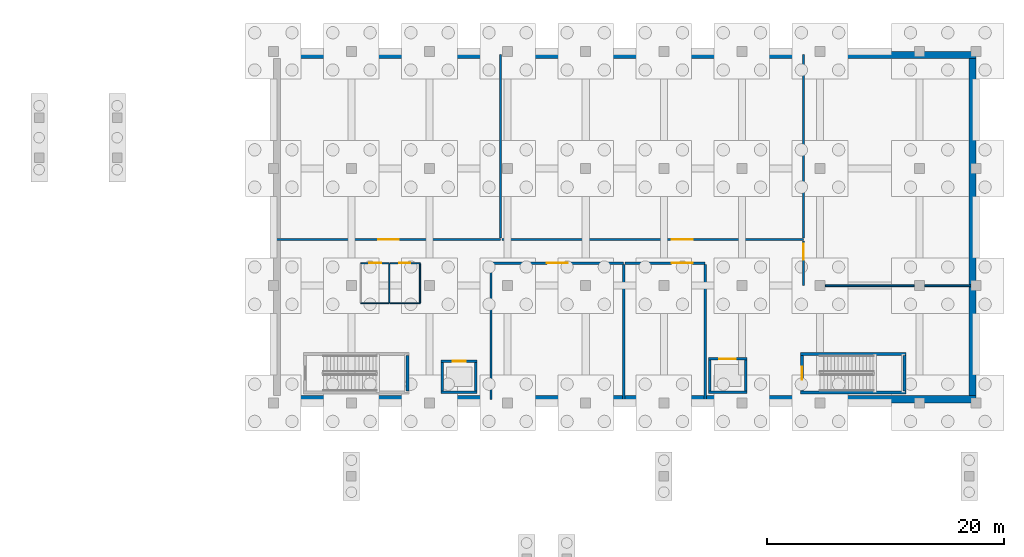
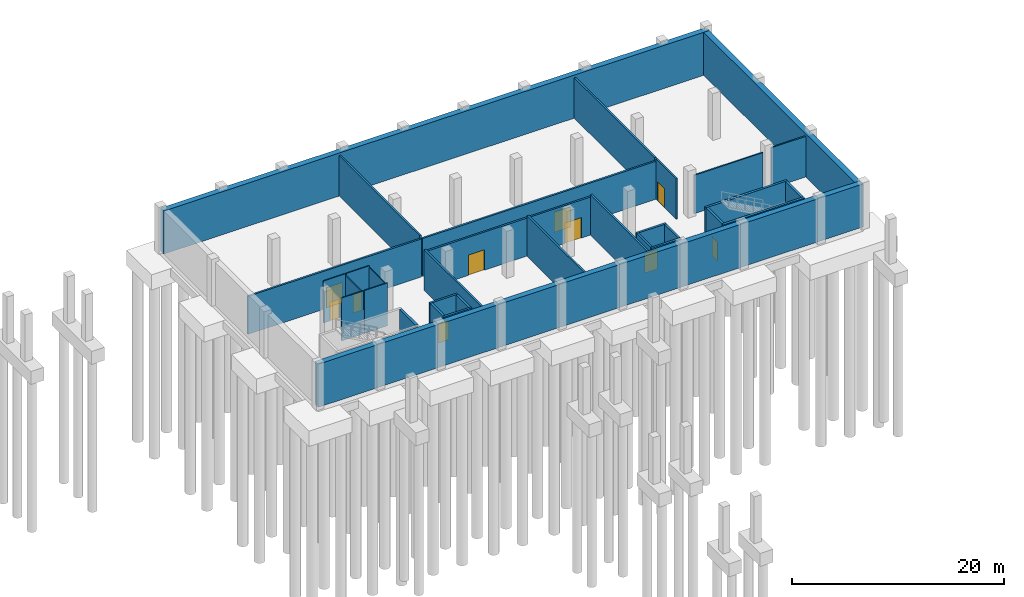
# One storey, part 14 of 23: 34 walls, 10 doors, 10 openings.
"""IFC4 building model written with IfcOpenShell, lengths in metres."""

from ifc_helpers import new_model, si_unit, direction, frame, frame_2d, origin, place, context, subcontext, project, spatial, rectangle, extrude, material, layer, layer_set, type_object, element, fill, save


model = new_model("IFC4")

# Units and contexts
model_context = context("Model", 3, precision=1e-05, world=origin(), true_north=direction((0.0, 1.0)))
body_context = subcontext(model_context, "Body", "Model", "MODEL_VIEW")
ifc_project = project(units=[si_unit("LENGTHUNIT", "METRE"), si_unit("AREAUNIT", "SQUARE_METRE"), si_unit("VOLUMEUNIT", "CUBIC_METRE"), si_unit("PLANEANGLEUNIT", "RADIAN"), si_unit("MASSUNIT", "GRAM", prefix="KILO")], contexts=[model_context])

# Site, building, storey
site_placement = place(None, origin())
site = spatial("IfcSite", under=ifc_project, at=site_placement, CompositionType="ELEMENT")
building_placement = place(site_placement, origin())
building = spatial("IfcBuilding", under=site, at=building_placement, Name="Dornvale Research Institute", CompositionType="ELEMENT")
storey_placement = place(building_placement, frame((0.0, 0.0, -5.39990234375)))
storey = spatial("IfcBuildingStorey", under=building, at=storey_placement, Name="B1", CompositionType="ELEMENT", Elevation=-5.39990234375)

# Wall, opening, door
ifc_material_1 = material(Name="Fire-Rated Gypsum Board on Cold-Formed Steel Studs", Category="steel")
ifc_layer_1 = layer(ifc_material_1, 0.199951171875)
ifc_layer_set_1 = layer_set([ifc_layer_1], Name="Fire-Rated Gypsum Board on Cold-Formed Steel Studs")
wall_type_1 = type_object("IfcWallType", Name="Partition_FireWall_200", PredefinedType="PARTITIONING", material=ifc_layer_set_1)
wall_1_placement = place(storey_placement, frame((119.080078125, 106.199951171875, 0.0), z_axis=(0.0, 0.0, 1.0), x_axis=(1.0, 0.0, 0.0)))
wall_1 = element("IfcWall", 1, at=wall_1_placement, inside=storey, type_object=wall_type_1, Name="B1 V4 interior partition #34", PredefinedType="PARTITIONING", context=body_context, shape_type="SweptSolid", body=[
    extrude(rectangle(XDim=18.919921875, YDim=0.199951171875, at=frame_2d((9.4599609375, 0.0))), origin(), (0.0, 0.0, 1.0), 4.3798828125),
])
opening_1_placement = place(wall_1_placement, frame((8.580078125, 0.0, 0.0)))
opening_1 = element("IfcOpeningElement", 2, at=opening_1_placement, cuts=wall_1, Name="Opening ID-14", PredefinedType="OPENING", context=body_context, shape_type="SweptSolid", body=[
    extrude(rectangle(XDim=1.760009765625, YDim=2.35009765625, at=frame_2d((0.8798828125, 1.175048828125))), frame((0.0, 0.114990234375, 0.0), z_axis=(0.0, -1.0, 0.0), x_axis=(1.0, 0.0, 0.0)), (0.0, 0.0, 1.0), 0.22998046875),
])
ifc_material_2 = material(Name="Insulated Fire-Rated Hollow Metal Door Assembly")
door_type_1 = type_object("IfcDoorType", Name="Door_Plant_1760x2350", OperationType="SINGLE_SWING_LEFT", PredefinedType="DOOR", material=ifc_material_2)
door_1_placement = place(opening_1_placement, origin())
door_1 = element("IfcDoor", 3, at=door_1_placement, inside=storey, type_object=door_type_1, Name="B1 Acid Waste Neutralization and DI Water Plant Room door #16", OperationType="DOUBLE_DOOR_SINGLE_SWING", OverallHeight=2.35009765625, OverallWidth=1.760009765625, PredefinedType="DOOR", context=body_context, shape_type="SweptSolid", body=[
    extrude(rectangle(XDim=1.760009765625, YDim=2.35009765625, at=frame_2d((0.8798828125, 1.175048828125))), frame((0.0, 0.02490234375, 0.0), z_axis=(0.0, -1.0, 0.0), x_axis=(1.0, 0.0, 0.0)), (0.0, 0.0, 1.0), 0.050048828125),
])
fill(opening_1, door_1)

# Wall
wall_2_placement = place(storey_placement, frame((138.0, 106.31494140625, 0.0), z_axis=(0.0, 0.0, 1.0), x_axis=(0.0, 1.0, 0.0)))
element("IfcWall", 4, at=wall_2_placement, inside=storey, type_object=wall_type_1, Name="B1 V4 interior partition #35", PredefinedType="PARTITIONING", context=body_context, shape_type="SweptSolid", body=[
    extrude(rectangle(XDim=15.505126953125, YDim=0.199951171875, at=frame_2d((7.75244140625, 0.0))), origin(), (0.0, 0.0, 1.0), 4.664794921875),
])

# Wall, opening, door
wall_3_placement = place(storey_placement, frame((138.114990234375, 106.199951171875, 0.0), z_axis=(0.0, 0.0, 1.0), x_axis=(1.0, 0.0, 0.0)))
wall_3 = element("IfcWall", 5, at=wall_3_placement, inside=storey, type_object=wall_type_1, Name="B1 V4 interior partition #36", PredefinedType="PARTITIONING", context=body_context, shape_type="SweptSolid", body=[
    extrude(rectangle(XDim=25.485107421875, YDim=0.199951171875, at=frame_2d((12.74267578125, 0.0))), origin(), (0.0, 0.0, 1.0), 4.3798828125),
])
opening_2_placement = place(wall_3_placement, frame((14.35498046875, 0.0, 0.0)))
opening_2 = element("IfcOpeningElement", 6, at=opening_2_placement, cuts=wall_3, Name="Opening ID-14", PredefinedType="OPENING", context=body_context, shape_type="SweptSolid", body=[
    extrude(rectangle(XDim=1.760009765625, YDim=2.35009765625, at=frame_2d((0.8798828125, 1.175048828125))), frame((0.0, 0.114990234375, 0.0), z_axis=(0.0, -1.0, 0.0), x_axis=(1.0, 0.0, 0.0)), (0.0, 0.0, 1.0), 0.22998046875),
])
door_2_placement = place(opening_2_placement, origin())
door_2 = element("IfcDoor", 7, at=door_2_placement, inside=storey, type_object=door_type_1, Name="B1 Laboratory Vacuum, Compressed Air and Gas Manifold Room door #17", OperationType="DOUBLE_DOOR_SINGLE_SWING", OverallHeight=2.35009765625, OverallWidth=1.760009765625, PredefinedType="DOOR", context=body_context, shape_type="SweptSolid", body=[
    extrude(rectangle(XDim=1.760009765625, YDim=2.35009765625, at=frame_2d((0.8798828125, 1.175048828125))), frame((0.0, 0.02490234375, 0.0), z_axis=(0.0, -1.0, 0.0), x_axis=(1.0, 0.0, 0.0)), (0.0, 0.0, 1.0), 0.050048828125),
])
fill(opening_2, door_2)

# Wall
wall_4_placement = place(storey_placement, frame((163.60009765625, 106.31494140625, 0.0), z_axis=(0.0, 0.0, 1.0), x_axis=(0.0, 1.0, 0.0)))
element("IfcWall", 8, at=wall_4_placement, inside=storey, type_object=wall_type_1, Name="B1 V4 interior partition #37", PredefinedType="PARTITIONING", context=body_context, shape_type="SweptSolid", body=[
    extrude(rectangle(XDim=15.505126953125, YDim=0.199951171875, at=frame_2d((7.75244140625, 0.0))), origin(), (0.0, 0.0, 1.0), 4.664794921875),
])

# Wall, opening, door
wall_5_placement = place(storey_placement, frame((137.199951171875, 104.199951171875, 0.0), z_axis=(0.0, 0.0, 1.0), x_axis=(1.0, 0.0, 0.0)))
wall_5 = element("IfcWall", 9, at=wall_5_placement, inside=storey, type_object=wall_type_1, Name="B1 V4 interior partition #41", PredefinedType="PARTITIONING", context=body_context, shape_type="SweptSolid", body=[
    extrude(rectangle(XDim=11.199951171875, YDim=0.199951171875, at=frame_2d((5.60009765625, 0.0))), origin(), (0.0, 0.0, 1.0), 4.3798828125),
])
opening_3_placement = place(wall_5_placement, frame((4.719970703125, 0.0, 0.0)))
opening_3 = element("IfcOpeningElement", 10, at=opening_3_placement, cuts=wall_5, Name="Opening ID-14", PredefinedType="OPENING", context=body_context, shape_type="SweptSolid", body=[
    extrude(rectangle(XDim=1.760009765625, YDim=2.35009765625, at=frame_2d((0.8798828125, 1.175048828125))), frame((0.0, 0.114990234375, 0.0), z_axis=(0.0, -1.0, 0.0), x_axis=(1.0, 0.0, 0.0)), (0.0, 0.0, 1.0), 0.22998046875),
])
door_3_placement = place(opening_3_placement, origin())
door_3 = element("IfcDoor", 11, at=door_3_placement, inside=storey, type_object=door_type_1, Name="B1 Central Chiller and Heat Pump Plant Room door #19", OperationType="DOUBLE_DOOR_SINGLE_SWING", OverallHeight=2.35009765625, OverallWidth=1.760009765625, PredefinedType="DOOR", context=body_context, shape_type="SweptSolid", body=[
    extrude(rectangle(XDim=1.760009765625, YDim=2.35009765625, at=frame_2d((0.8798828125, 1.175048828125))), frame((0.0, 0.02490234375, 0.0), z_axis=(0.0, -1.0, 0.0), x_axis=(1.0, 0.0, 0.0)), (0.0, 0.0, 1.0), 0.050048828125),
])
fill(opening_3, door_3)

# Walls
for number, where, z_axis, x_axis, name in (
    (12, (137.199951171875, 92.679931640625, 0.0), (0.0, 0.0, 1.0), (0.0, 1.0, 0.0), "B1 V4 interior partition #42"),
    (13, (148.39990234375, 92.679931640625, 0.0), (0.0, 0.0, 1.0), (0.0, 1.0, 0.0), "B1 V4 interior partition #43"),
):
    element("IfcWall", number, at=place(storey_placement, frame(where, z_axis=z_axis, x_axis=x_axis)), inside=storey, type_object=wall_type_1, Name=name, PredefinedType="PARTITIONING", context=body_context, shape_type="SweptSolid", body=[
        extrude(rectangle(XDim=11.405029296875, YDim=0.199951171875, at=frame_2d((5.70263671875, 0.0))), origin(), (0.0, 0.0, 1.0), 4.664794921875),
    ])

# Wall, opening, door
wall_6_placement = place(storey_placement, frame((148.514892578125, 104.199951171875, 0.0), z_axis=(0.0, 0.0, 1.0), x_axis=(1.0, 0.0, 0.0)))
wall_6 = element("IfcWall", 14, at=wall_6_placement, inside=storey, type_object=wall_type_1, Name="B1 V4 interior partition #44", PredefinedType="PARTITIONING", context=body_context, shape_type="SweptSolid", body=[
    extrude(rectangle(XDim=6.78515625, YDim=0.199951171875, at=frame_2d((3.392578125, 0.0))), origin(), (0.0, 0.0, 1.0), 4.3798828125),
])
opening_4_placement = place(wall_6_placement, frame((3.955078125, 0.0, 0.0)))
opening_4 = element("IfcOpeningElement", 15, at=opening_4_placement, cuts=wall_6, Name="Opening ID-14", PredefinedType="OPENING", context=body_context, shape_type="SweptSolid", body=[
    extrude(rectangle(XDim=1.760009765625, YDim=2.35009765625, at=frame_2d((0.8798828125, 1.175048828125))), frame((0.0, 0.114990234375, 0.0), z_axis=(0.0, -1.0, 0.0), x_axis=(1.0, 0.0, 0.0)), (0.0, 0.0, 1.0), 0.22998046875),
])
door_4_placement = place(opening_4_placement, origin())
door_4 = element("IfcDoor", 16, at=door_4_placement, inside=storey, type_object=door_type_1, Name="B1 Emergency Generator Auxiliary Room door #20", OperationType="DOUBLE_DOOR_SINGLE_SWING", OverallHeight=2.35009765625, OverallWidth=1.760009765625, PredefinedType="DOOR", context=body_context, shape_type="SweptSolid", body=[
    extrude(rectangle(XDim=1.760009765625, YDim=2.35009765625, at=frame_2d((0.8798828125, 1.175048828125))), frame((0.0, 0.02490234375, 0.0), z_axis=(0.0, -1.0, 0.0), x_axis=(1.0, 0.0, 0.0)), (0.0, 0.0, 1.0), 0.050048828125),
])
fill(opening_4, door_4)

# Walls
wall_7_placement = place(storey_placement, frame((155.300048828125, 92.679931640625, 0.0), z_axis=(0.0, 0.0, 1.0), x_axis=(0.0, 1.0, 0.0)))
element("IfcWall", 17, at=wall_7_placement, inside=storey, type_object=wall_type_1, Name="B1 V4 interior partition #45", PredefinedType="PARTITIONING", context=body_context, shape_type="SweptSolid", body=[
    extrude(rectangle(XDim=11.405029296875, YDim=0.199951171875, at=frame_2d((5.70263671875, 0.0))), origin(), (0.0, 0.0, 1.0), 4.664794921875),
])
ifc_material_3 = material(Name="Acoustic Insulated Double-Stud Laboratory Partition")
ifc_layer_2 = layer(ifc_material_3, 0.14990234375)
ifc_layer_set_2 = layer_set([ifc_layer_2], Name="Acoustic Insulated Double-Stud Laboratory Partition")
wall_type_2 = type_object("IfcWallType", Name="Partition_Lab_150", PredefinedType="PARTITIONING", material=ifc_layer_set_2)
wall_8_placement = place(storey_placement, frame((165.445068359375, 102.300048828125, 0.0), z_axis=(0.0, 0.0, 1.0), x_axis=(1.0, 0.0, 0.0)))
element("IfcWall", 18, at=wall_8_placement, inside=storey, type_object=wall_type_2, Name="B1 V4 interior partition #38", PredefinedType="PARTITIONING", context=body_context, shape_type="SweptSolid", body=[
    extrude(rectangle(XDim=7.510009765625, YDim=0.14990234375, at=frame_2d((3.7548828125, 0.0))), origin(), (0.0, 0.0, 1.0), 4.429931640625),
])
wall_9_placement = place(storey_placement, frame((173.844970703125, 102.300048828125, 0.0), z_axis=(0.0, 0.0, 1.0), x_axis=(1.0, 0.0, 0.0)))
element("IfcWall", 19, at=wall_9_placement, inside=storey, type_object=wall_type_2, Name="B1 V4 interior partition #39", PredefinedType="PARTITIONING", context=body_context, shape_type="SweptSolid", body=[
    extrude(rectangle(XDim=3.909912109375, YDim=0.14990234375, at=frame_2d((1.955078125, 0.0))), origin(), (0.0, 0.0, 1.0), 4.664794921875),
])

# Wall, opening, door
wall_10_placement = place(storey_placement, frame((163.60009765625, 102.300048828125, 0.0), z_axis=(0.0, 0.0, 1.0), x_axis=(0.0, 1.0, 0.0)))
wall_10 = element("IfcWall", 20, at=wall_10_placement, inside=storey, type_object=wall_type_2, Name="B1 V4 interior partition #40", PredefinedType="PARTITIONING", context=body_context, shape_type="SweptSolid", body=[
    extrude(rectangle(XDim=3.784912109375, YDim=0.14990234375, at=frame_2d((1.892578125, 0.0))), origin(), (0.0, 0.0, 1.0), 4.664794921875),
])
opening_5_placement = place(wall_10_placement, frame((2.195068359375, 0.0, 0.0)))
opening_5 = element("IfcOpeningElement", 21, at=opening_5_placement, cuts=wall_10, Name="Opening ID-15", PredefinedType="OPENING", context=body_context, shape_type="SweptSolid", body=[
    extrude(rectangle(XDim=1.340087890625, YDim=2.199951171875, at=frame_2d((0.669921875, 1.10009765625))), frame((0.0, 0.08984375, 0.0), z_axis=(0.0, -1.0, 0.0), x_axis=(1.0, 0.0, 0.0)), (0.0, 0.0, 1.0), 0.179931640625),
])
ifc_material_4 = material(Name="Insulated Fire-Rated Hollow Metal Door Assembly")
door_type_2 = type_object("IfcDoorType", Name="Door_Storage_1340x2200", OperationType="SINGLE_SWING_LEFT", PredefinedType="DOOR", material=ifc_material_4)
door_5_placement = place(opening_5_placement, origin())
door_5 = element("IfcDoor", 22, at=door_5_placement, inside=storey, type_object=door_type_2, Name="B1 Hazardous Solvent and Reagent Bunker Storage door #18", OperationType="SINGLE_SWING_LEFT", OverallHeight=2.199951171875, OverallWidth=1.340087890625, PredefinedType="DOOR", context=body_context, shape_type="SweptSolid", body=[
    extrude(rectangle(XDim=1.340087890625, YDim=2.199951171875, at=frame_2d((0.669921875, 1.10009765625))), frame((0.0, 0.02490234375, 0.0), z_axis=(0.0, -1.0, 0.0), x_axis=(1.0, 0.0, 0.0)), (0.0, 0.0, 1.0), 0.050048828125),
])
fill(opening_5, door_5)

# Wall
ifc_material_5 = material(Name="Acoustic Insulated Double-Stud Laboratory Partition")
ifc_layer_3 = layer(ifc_material_5, 0.10009765625)
ifc_layer_set_3 = layer_set([ifc_layer_3], Name="Acoustic Insulated Double-Stud Laboratory Partition")
wall_type_3 = type_object("IfcWallType", Name="Partition_Office_100", PredefinedType="PARTITIONING", material=ifc_layer_set_3)
wall_11_placement = place(storey_placement, frame((126.199951171875, 100.800048828125, 0.0), z_axis=(0.0, 0.0, 1.0), x_axis=(1.0, 0.0, 0.0)))
element("IfcWall", 23, at=wall_11_placement, inside=storey, type_object=wall_type_3, Name="B1 V4 interior partition #27", PredefinedType="PARTITIONING", context=body_context, shape_type="SweptSolid", body=[
    extrude(rectangle(XDim=2.400146484375, YDim=0.10009765625, at=frame_2d((1.2001953125, 0.0))), origin(), (0.0, 0.0, 1.0), 4.93994140625),
])

# Wall, opening, door
wall_12_placement = place(storey_placement, frame((126.199951171875, 104.199951171875, 0.0), z_axis=(0.0, 0.0, 1.0), x_axis=(1.0, 0.0, 0.0)))
wall_12 = element("IfcWall", 24, at=wall_12_placement, inside=storey, type_object=wall_type_3, Name="B1 V4 interior partition #28", PredefinedType="PARTITIONING", context=body_context, shape_type="SweptSolid", body=[
    extrude(rectangle(XDim=2.400146484375, YDim=0.10009765625, at=frame_2d((1.2001953125, 0.0))), origin(), (0.0, 0.0, 1.0), 4.844970703125),
])
opening_6_placement = place(wall_12_placement, frame((0.699951171875, 0.0, 0.0)))
opening_6 = element("IfcOpeningElement", 25, at=opening_6_placement, cuts=wall_12, Name="Opening ID-24", PredefinedType="OPENING", context=body_context, shape_type="SweptSolid", body=[
    extrude(rectangle(XDim=1.0, YDim=2.14990234375, at=frame_2d((0.5, 1.074951171875))), frame((0.0, 0.06494140625, 0.0), z_axis=(0.0, -1.0, 0.0), x_axis=(1.0, 0.0, 0.0)), (0.0, 0.0, 1.0), 0.130126953125),
])
ifc_material_6 = material(Name="Phenolic-Faced Solid-Core Laboratory Door Assembly")
door_type_3 = type_object("IfcDoorType", Name="Door_AccWC_1000x2150", OperationType="SINGLE_SWING_LEFT", PredefinedType="DOOR", material=ifc_material_6)
door_6_placement = place(opening_6_placement, origin())
door_6 = element("IfcDoor", 26, at=door_6_placement, inside=storey, type_object=door_type_3, Name="B1 Wet Wing Male Restroom B1 door #14", OperationType="SINGLE_SWING_LEFT", OverallHeight=2.14990234375, OverallWidth=1.0, PredefinedType="DOOR", context=body_context, shape_type="SweptSolid", body=[
    extrude(rectangle(XDim=1.0, YDim=2.14990234375, at=frame_2d((0.5, 1.074951171875))), frame((0.0, 0.02490234375, 0.0), z_axis=(0.0, -1.0, 0.0), x_axis=(1.0, 0.0, 0.0)), (0.0, 0.0, 1.0), 0.050048828125),
])
fill(opening_6, door_6)

# Walls
wall_13_placement = place(storey_placement, frame((128.60009765625, 100.864990234375, 0.0), z_axis=(0.0, 0.0, 1.0), x_axis=(0.0, 1.0, 0.0)))
element("IfcWall", 27, at=wall_13_placement, inside=storey, type_object=wall_type_3, Name="B1 V4 interior partition #30", PredefinedType="PARTITIONING", context=body_context, shape_type="SweptSolid", body=[
    extrude(rectangle(XDim=3.27001953125, YDim=0.10009765625, at=frame_2d((1.635009765625, 0.0))), origin(), (0.0, 0.0, 1.0), 4.664794921875),
])
wall_14_placement = place(storey_placement, frame((128.6650390625, 100.800048828125, 0.0), z_axis=(0.0, 0.0, 1.0), x_axis=(1.0, 0.0, 0.0)))
element("IfcWall", 28, at=wall_14_placement, inside=storey, type_object=wall_type_3, Name="B1 V4 interior partition #31", PredefinedType="PARTITIONING", context=body_context, shape_type="SweptSolid", body=[
    extrude(rectangle(XDim=2.534912109375, YDim=0.10009765625, at=frame_2d((1.267578125, 0.0))), origin(), (0.0, 0.0, 1.0), 4.93994140625),
])

# Wall, opening, door
wall_15_placement = place(storey_placement, frame((128.6650390625, 104.199951171875, 0.0), z_axis=(0.0, 0.0, 1.0), x_axis=(1.0, 0.0, 0.0)))
wall_15 = element("IfcWall", 29, at=wall_15_placement, inside=storey, type_object=wall_type_3, Name="B1 V4 interior partition #32", PredefinedType="PARTITIONING", context=body_context, shape_type="SweptSolid", body=[
    extrude(rectangle(XDim=2.534912109375, YDim=0.10009765625, at=frame_2d((1.267578125, 0.0))), origin(), (0.0, 0.0, 1.0), 4.844970703125),
])
opening_7_placement = place(wall_15_placement, frame((0.760009765625, 0.0, 0.0)))
opening_7 = element("IfcOpeningElement", 30, at=opening_7_placement, cuts=wall_15, Name="Opening ID-23", PredefinedType="OPENING", context=body_context, shape_type="SweptSolid", body=[
    extrude(rectangle(XDim=0.949951171875, YDim=2.14990234375, at=frame_2d((0.47509765625, 1.074951171875))), frame((0.0, 0.06494140625, 0.0), z_axis=(0.0, -1.0, 0.0), x_axis=(1.0, 0.0, 0.0)), (0.0, 0.0, 1.0), 0.130126953125),
])
ifc_material_7 = material(Name="Phenolic-Faced Solid-Core Laboratory Door Assembly")
door_type_4 = type_object("IfcDoorType", Name="Door_WC_950x2150", OperationType="SINGLE_SWING_LEFT", PredefinedType="DOOR", material=ifc_material_7)
door_7_placement = place(opening_7_placement, origin())
door_7 = element("IfcDoor", 31, at=door_7_placement, inside=storey, type_object=door_type_4, Name="B1 Wet Wing Female and Accessible Restroom B1 door #15", OperationType="SINGLE_SWING_RIGHT", OverallHeight=2.14990234375, OverallWidth=0.949951171875, PredefinedType="DOOR", context=body_context, shape_type="SweptSolid", body=[
    extrude(rectangle(XDim=0.949951171875, YDim=2.14990234375, at=frame_2d((0.47509765625, 1.074951171875))), frame((0.0, 0.02490234375, 0.0), z_axis=(0.0, -1.0, 0.0), x_axis=(1.0, 0.0, 0.0)), (0.0, 0.0, 1.0), 0.050048828125),
])
fill(opening_7, door_7)

# Walls
wall_16_placement = place(storey_placement, frame((131.199951171875, 100.864990234375, 0.0), z_axis=(0.0, 0.0, 1.0), x_axis=(0.0, 1.0, 0.0)))
element("IfcWall", 32, at=wall_16_placement, inside=storey, type_object=wall_type_3, Name="B1 V4 interior partition #33", PredefinedType="PARTITIONING", context=body_context, shape_type="SweptSolid", body=[
    extrude(rectangle(XDim=3.27001953125, YDim=0.10009765625, at=frame_2d((1.635009765625, 0.0))), origin(), (0.0, 0.0, 1.0), 4.664794921875),
])
ifc_material_8 = material(Name="Concrete f'c 40 MPa (C32/40)", Category="concrete")
ifc_layer_4 = layer(ifc_material_8, 0.60009765625)
ifc_layer_set_4 = layer_set([ifc_layer_4], Name="Concrete f'c 40 MPa (C32/40)")
wall_type_4 = type_object("IfcWallType", Name="RetainingWall_RC600_Ext", PredefinedType="USERDEFINED", material=ifc_layer_set_4)
for number, where, z_axis, x_axis, name in (
    (33, (118.800048828125, 92.699951171875, 0.0), (0.0, 0.0, 1.0), (1.0, 0.0, 0.0), "Basement perimeter retaining wall #5"),
    (34, (118.800048828125, 121.800048828125, 0.0), (0.0, 0.0, 1.0), (1.0, 0.0, 0.0), "Basement perimeter retaining wall #6"),
):
    element("IfcWall", number, at=place(storey_placement, frame(where, z_axis=z_axis, x_axis=x_axis)), inside=storey, type_object=wall_type_4, Name=name, ObjectType="RETAININGWALL", PredefinedType="USERDEFINED", context=body_context, shape_type="SweptSolid", body=[
        extrude(rectangle(XDim=59.39990234375, YDim=0.60009765625, at=frame_2d((29.699951171875, 0.0))), origin(), (0.0, 0.0, 1.0), 4.9599609375),
    ])
wall_17_placement = place(storey_placement, frame((177.89990234375, 93.0, 0.0), z_axis=(0.0, 0.0, 1.0), x_axis=(0.0, 1.0, 0.0)))
element("IfcWall", 35, at=wall_17_placement, inside=storey, type_object=wall_type_4, Name="Basement perimeter retaining wall #8", ObjectType="RETAININGWALL", PredefinedType="USERDEFINED", context=body_context, shape_type="SweptSolid", body=[
    extrude(rectangle(XDim=28.5, YDim=0.60009765625, at=frame_2d((14.25, 0.0))), origin(), (0.0, 0.0, 1.0), 4.9599609375),
])
ifc_material_9 = material(Name="Concrete f'c 45 MPa (C35/45)", Category="concrete")
ifc_layer_5 = layer(ifc_material_9, 0.25)
ifc_layer_set_5 = layer_set([ifc_layer_5], Name="Concrete f'c 45 MPa (C35/45)")
wall_type_5 = type_object("IfcWallType", Name="ShearWall_Core_250", PredefinedType="SHEAR", material=ifc_layer_set_5)
wall_18_placement = place(storey_placement, frame((130.125, 93.39990234375, 0.0), z_axis=(0.0, 0.0, 1.0), x_axis=(0.0, 1.0, 0.0)))
element("IfcWall", 36, at=wall_18_placement, inside=storey, type_object=wall_type_5, Name="B1 ST-3 shaft shear wall east", PredefinedType="SHEAR", context=body_context, shape_type="SweptSolid", body=[
    extrude(rectangle(XDim=3.0, YDim=0.25, at=frame_2d((1.5, 0.0))), origin(), (0.0, 0.0, 1.0), 4.9599609375),
])
for number, where, z_axis, x_axis, name in (
    (37, (163.35009765625, 93.27490234375, 0.0), (0.0, 0.0, 1.0), (1.0, 0.0, 0.0), "B1 ST-4 shaft shear wall south"),
    (38, (163.35009765625, 96.52490234375, 0.0), (0.0, 0.0, 1.0), (1.0, 0.0, 0.0), "B1 ST-4 shaft shear wall north"),
):
    element("IfcWall", number, at=place(storey_placement, frame(where, z_axis=z_axis, x_axis=x_axis)), inside=storey, type_object=wall_type_5, Name=name, PredefinedType="SHEAR", context=body_context, shape_type="SweptSolid", body=[
        extrude(rectangle(XDim=8.89990234375, YDim=0.25, at=frame_2d((4.449951171875, 0.0))), origin(), (0.0, 0.0, 1.0), 4.9599609375),
    ])

# Wall, opening, door
wall_19_placement = place(storey_placement, frame((163.47509765625, 93.39990234375, 0.0), z_axis=(0.0, 0.0, 1.0), x_axis=(0.0, 1.0, 0.0)))
wall_19 = element("IfcWall", 39, at=wall_19_placement, inside=storey, type_object=wall_type_5, Name="B1 ST-4 shaft shear wall west", PredefinedType="SHEAR", context=body_context, shape_type="SweptSolid", body=[
    extrude(rectangle(XDim=3.0, YDim=0.25, at=frame_2d((1.5, 0.0))), origin(), (0.0, 0.0, 1.0), 4.9599609375),
])
opening_8_placement = place(wall_19_placement, frame((0.9599609375, 0.0, 0.0)))
opening_8 = element("IfcOpeningElement", 40, at=opening_8_placement, cuts=wall_19, Name="Opening SD-02", PredefinedType="OPENING", context=body_context, shape_type="SweptSolid", body=[
    extrude(rectangle(XDim=1.080078125, YDim=2.199951171875, at=frame_2d((0.5400390625, 1.10009765625))), frame((0.0, 0.139892578125, 0.0), z_axis=(0.0, -1.0, 0.0), x_axis=(1.0, 0.0, 0.0)), (0.0, 0.0, 1.0), 0.280029296875),
])
ifc_material_10 = material(Name="Insulated Fire-Rated Hollow Metal Door Assembly")
door_type_5 = type_object("IfcDoorType", Name="Door_Stair_1080x2200", OperationType="SINGLE_SWING_LEFT", PredefinedType="DOOR", material=ifc_material_10)
door_8_placement = place(opening_8_placement, origin())
door_8 = element("IfcDoor", 41, at=door_8_placement, inside=storey, type_object=door_type_5, Name="B1 ST-4 exit stair door #33", OperationType="SINGLE_SWING_RIGHT", OverallHeight=2.199951171875, OverallWidth=1.080078125, PredefinedType="DOOR", context=body_context, shape_type="SweptSolid", body=[
    extrude(rectangle(XDim=1.080078125, YDim=2.199951171875, at=frame_2d((0.5400390625, 1.10009765625))), frame((0.0, 0.02490234375, 0.0), z_axis=(0.0, -1.0, 0.0), x_axis=(1.0, 0.0, 0.0)), (0.0, 0.0, 1.0), 0.050048828125),
])
fill(opening_8, door_8)

# Walls
wall_20_placement = place(storey_placement, frame((172.125, 93.39990234375, 0.0), z_axis=(0.0, 0.0, 1.0), x_axis=(0.0, 1.0, 0.0)))
element("IfcWall", 42, at=wall_20_placement, inside=storey, type_object=wall_type_5, Name="B1 ST-4 shaft shear wall east", PredefinedType="SHEAR", context=body_context, shape_type="SweptSolid", body=[
    extrude(rectangle(XDim=3.0, YDim=0.25, at=frame_2d((1.5, 0.0))), origin(), (0.0, 0.0, 1.0), 4.9599609375),
])
ifc_material_11 = material(Name="Concrete f'c 45 MPa (C35/45)", Category="concrete")
ifc_layer_6 = layer(ifc_material_11, 0.219970703125)
ifc_layer_set_6 = layer_set([ifc_layer_6], Name="Concrete f'c 45 MPa (C35/45)")
wall_type_6 = type_object("IfcWallType", Name="ShearWall_Shaft_220", PredefinedType="SHEAR", material=ifc_layer_set_6)
wall_21_placement = place(storey_placement, frame((132.97998046875, 93.2900390625, 0.0), z_axis=(0.0, 0.0, 1.0), x_axis=(1.0, 0.0, 0.0)))
element("IfcWall", 43, at=wall_21_placement, inside=storey, type_object=wall_type_6, Name="B1 LP2 elevator shaft wall south", PredefinedType="SHEAR", context=body_context, shape_type="SweptSolid", body=[
    extrude(rectangle(XDim=3.0400390625, YDim=0.219970703125, at=frame_2d((1.52001953125, 0.0))), origin(), (0.0, 0.0, 1.0), 4.9599609375),
])

# Wall, opening, door
wall_22_placement = place(storey_placement, frame((132.97998046875, 95.909912109375, 0.0), z_axis=(0.0, 0.0, 1.0), x_axis=(1.0, 0.0, 0.0)))
wall_22 = element("IfcWall", 44, at=wall_22_placement, inside=storey, type_object=wall_type_6, Name="B1 LP2 elevator shaft wall north", PredefinedType="SHEAR", context=body_context, shape_type="SweptSolid", body=[
    extrude(rectangle(XDim=3.0400390625, YDim=0.219970703125, at=frame_2d((1.52001953125, 0.0))), origin(), (0.0, 0.0, 1.0), 4.9599609375),
])
opening_9_placement = place(wall_22_placement, frame((0.969970703125, 0.0, 0.0)))
opening_9 = element("IfcOpeningElement", 45, at=opening_9_placement, cuts=wall_22, Name="Opening LD-02", PredefinedType="OPENING", context=body_context, shape_type="SweptSolid", body=[
    extrude(rectangle(XDim=1.10009765625, YDim=2.199951171875, at=frame_2d((0.550048828125, 1.10009765625))), frame((0.0, 0.125, 0.0), z_axis=(0.0, -1.0, 0.0), x_axis=(1.0, 0.0, 0.0)), (0.0, 0.0, 1.0), 0.25),
])
ifc_material_12 = material(Name="Brushed Stainless Steel Sliding Elevator Landing Door", Category="steel")
door_type_6 = type_object("IfcDoorType", Name="Door_LiftLanding_Pass_1100x2200", OperationType="SINGLE_SWING_LEFT", PredefinedType="DOOR", material=ifc_material_12)
door_9_placement = place(opening_9_placement, origin())
door_9 = element("IfcDoor", 46, at=door_9_placement, inside=storey, type_object=door_type_6, Name="B1 LP2 sliding elevator landing door #37", OperationType="SLIDING_TO_LEFT", OverallHeight=2.199951171875, OverallWidth=1.10009765625, PredefinedType="DOOR", context=body_context, shape_type="SweptSolid", body=[
    extrude(rectangle(XDim=1.10009765625, YDim=2.199951171875, at=frame_2d((0.550048828125, 1.10009765625))), frame((0.0, 0.02490234375, 0.0), z_axis=(0.0, -1.0, 0.0), x_axis=(1.0, 0.0, 0.0)), (0.0, 0.0, 1.0), 0.050048828125),
])
fill(opening_9, door_9)

# Walls
for number, where, z_axis, x_axis, name in (
    (47, (133.090087890625, 93.39990234375, 0.0), (0.0, 0.0, 1.0), (0.0, 1.0, 0.0), "B1 LP2 elevator shaft wall west"),
    (48, (135.909912109375, 93.39990234375, 0.0), (0.0, 0.0, 1.0), (0.0, 1.0, 0.0), "B1 LP2 elevator shaft wall east"),
):
    element("IfcWall", number, at=place(storey_placement, frame(where, z_axis=z_axis, x_axis=x_axis)), inside=storey, type_object=wall_type_6, Name=name, PredefinedType="SHEAR", context=body_context, shape_type="SweptSolid", body=[
        extrude(rectangle(XDim=2.400146484375, YDim=0.219970703125, at=frame_2d((1.2001953125, 0.0))), origin(), (0.0, 0.0, 1.0), 4.9599609375),
    ])
wall_23_placement = place(storey_placement, frame((155.580078125, 93.2900390625, 0.0), z_axis=(0.0, 0.0, 1.0), x_axis=(1.0, 0.0, 0.0)))
element("IfcWall", 49, at=wall_23_placement, inside=storey, type_object=wall_type_6, Name="B1 LS1 elevator shaft wall south", PredefinedType="SHEAR", context=body_context, shape_type="SweptSolid", body=[
    extrude(rectangle(XDim=3.239990234375, YDim=0.219970703125, at=frame_2d((1.6201171875, 0.0))), origin(), (0.0, 0.0, 1.0), 4.9599609375),
])

# Wall, opening, door
wall_24_placement = place(storey_placement, frame((155.580078125, 96.110107421875, 0.0), z_axis=(0.0, 0.0, 1.0), x_axis=(1.0, 0.0, 0.0)))
wall_24 = element("IfcWall", 50, at=wall_24_placement, inside=storey, type_object=wall_type_6, Name="B1 LS1 elevator shaft wall north", PredefinedType="SHEAR", context=body_context, shape_type="SweptSolid", body=[
    extrude(rectangle(XDim=3.239990234375, YDim=0.219970703125, at=frame_2d((1.6201171875, 0.0))), origin(), (0.0, 0.0, 1.0), 4.9599609375),
])
opening_10_placement = place(wall_24_placement, frame((0.919921875, 0.0, 0.0)))
opening_10 = element("IfcOpeningElement", 51, at=opening_10_placement, cuts=wall_24, Name="Opening LD-03", PredefinedType="OPENING", context=body_context, shape_type="SweptSolid", body=[
    extrude(rectangle(XDim=1.39990234375, YDim=2.300048828125, at=frame_2d((0.699951171875, 1.14990234375))), frame((0.0, 0.125, 0.0), z_axis=(0.0, -1.0, 0.0), x_axis=(1.0, 0.0, 0.0)), (0.0, 0.0, 1.0), 0.25),
])
ifc_material_13 = material(Name="Brushed Stainless Steel Sliding Elevator Landing Door", Category="steel")
door_type_7 = type_object("IfcDoorType", Name="Door_LiftLanding_Serv_1400x2300", OperationType="SINGLE_SWING_LEFT", PredefinedType="DOOR", material=ifc_material_13)
door_10_placement = place(opening_10_placement, origin())
door_10 = element("IfcDoor", 52, at=door_10_placement, inside=storey, type_object=door_type_7, Name="B1 LS1 sliding elevator landing door #45", OperationType="DOUBLE_DOOR_SLIDING", OverallHeight=2.300048828125, OverallWidth=1.39990234375, PredefinedType="DOOR", context=body_context, shape_type="SweptSolid", body=[
    extrude(rectangle(XDim=1.39990234375, YDim=2.300048828125, at=frame_2d((0.699951171875, 1.14990234375))), frame((0.0, 0.02490234375, 0.0), z_axis=(0.0, -1.0, 0.0), x_axis=(1.0, 0.0, 0.0)), (0.0, 0.0, 1.0), 0.050048828125),
])
fill(opening_10, door_10)

# Walls
for number, where, z_axis, x_axis, name in (
    (53, (155.68994140625, 93.39990234375, 0.0), (0.0, 0.0, 1.0), (0.0, 1.0, 0.0), "B1 LS1 elevator shaft wall west"),
    (54, (158.7099609375, 93.39990234375, 0.0), (0.0, 0.0, 1.0), (0.0, 1.0, 0.0), "B1 LS1 elevator shaft wall east"),
):
    element("IfcWall", number, at=place(storey_placement, frame(where, z_axis=z_axis, x_axis=x_axis)), inside=storey, type_object=wall_type_6, Name=name, PredefinedType="SHEAR", context=body_context, shape_type="SweptSolid", body=[
        extrude(rectangle(XDim=2.60009765625, YDim=0.219970703125, at=frame_2d((1.300048828125, 0.0))), origin(), (0.0, 0.0, 1.0), 4.9599609375),
    ])

save(model, "model.ifc")
